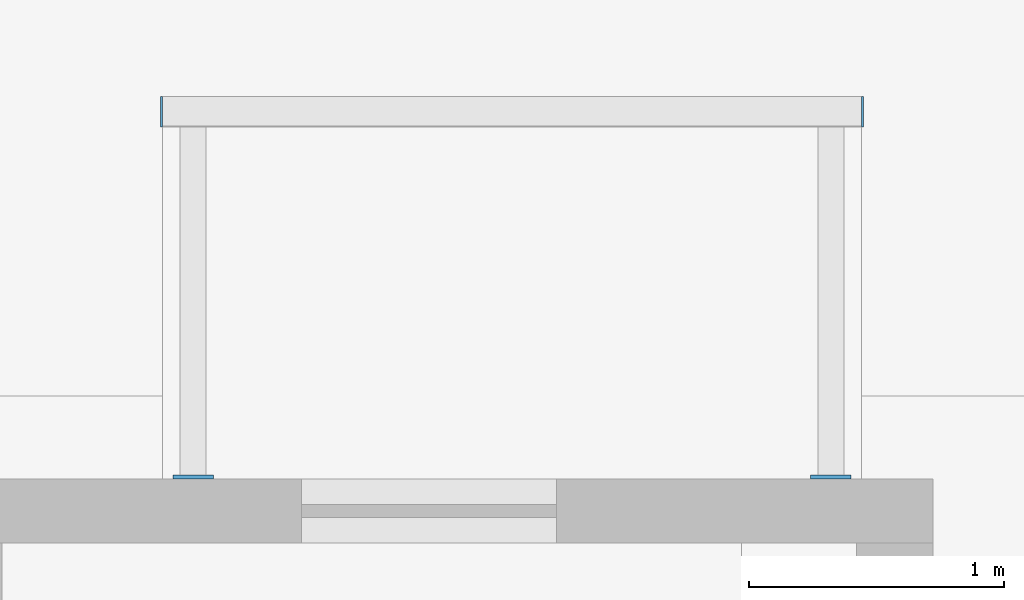
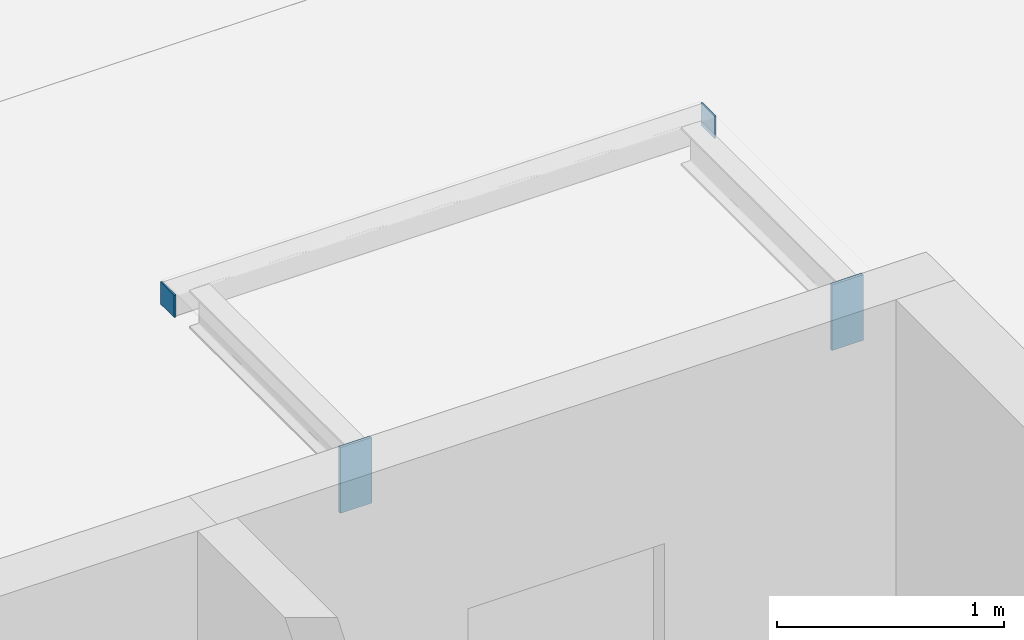
# One storey, part 85 of 112: 4 discrete accessories.
"""IFC4 building model written with IfcOpenShell, lengths in metres."""

from ifc_helpers import new_model, si_unit, direction, frame, origin, origin_2d, place, context, subcontext, project, spatial, rectangle, extrude, material, layer, layer_set, type_object, element, save


model = new_model("IFC4")

# Units and contexts
model_context = context("Model", 3, precision=1e-05, world=origin(), true_north=direction((0.0, 1.0)))
body_context = subcontext(model_context, "Body", "Model", "MODEL_VIEW")
ifc_project = project(units=[si_unit("LENGTHUNIT", "METRE"), si_unit("AREAUNIT", "SQUARE_METRE"), si_unit("VOLUMEUNIT", "CUBIC_METRE"), si_unit("PLANEANGLEUNIT", "RADIAN"), si_unit("MASSUNIT", "GRAM", prefix="KILO")], contexts=[model_context])

# Site, building, storey
site_placement = place(None, origin())
site = spatial("IfcSite", under=ifc_project, at=site_placement, CompositionType="ELEMENT")
building_placement = place(site_placement, origin())
building = spatial("IfcBuilding", under=site, at=building_placement, Name="Ridgestep Commons", CompositionType="ELEMENT")
storey_placement = place(building_placement, origin())
storey = spatial("IfcBuildingStorey", under=building, at=storey_placement, Name="L00", CompositionType="ELEMENT", Elevation=0.0)

# Discrete accessories
ifc_material_1 = material(Name="Weathering steel S355J2W", Category="steel")
ifc_layer_1 = layer(ifc_material_1, 0.014892578125)
ifc_layer_set_1 = layer_set([ifc_layer_1], Name="Tray bracket plate 15")
discrete_accessory_type_1 = type_object("IfcDiscreteAccessoryType", Name="Tray bracket plate 15", PredefinedType="BRACKET", material=ifc_layer_set_1)
for number, where, z_axis, x_axis, name in (
    (1, (110.050048828125, 77.257568359375, 2.63671875), (0.0, 0.0, 1.0), (1.0, 0.0, 0.0), "Tray bracket B6T1-01.1"),
    (2, (112.550048828125, 77.257568359375, 2.63671875), (0.0, 0.0, 1.0), (1.0, 0.0, 0.0), "Tray bracket B6T1-01.2"),
):
    element("IfcDiscreteAccessory", number, at=place(storey_placement, frame(where, z_axis=z_axis, x_axis=x_axis)), inside=storey, type_object=discrete_accessory_type_1, Name=name, PredefinedType="BRACKET", context=body_context, shape_type="SweptSolid", body=[
        extrude(rectangle(XDim=0.159912109375, YDim=0.014892578125, at=origin_2d()), origin(), (0.0, 0.0, 1.0), 0.353271484375),
    ])
ifc_material_2 = material(Name="Weathering steel S355J2W", Category="steel")
ifc_layer_2 = layer(ifc_material_2, 0.008056640625)
ifc_layer_set_2 = layer_set([ifc_layer_2], Name="Tray edge member end plate 120 x 120 x 8")
discrete_accessory_type_2 = type_object("IfcDiscreteAccessoryType", Name="Tray edge member end plate 120 x 120 x 8", PredefinedType="BRACKET", material=ifc_layer_set_2)
for number, where, z_axis, x_axis, name in (
    (3, (109.926025390625, 78.68994140625, 2.869873046875), (0.0, 0.0, 1.0), (1.0, 0.0, 0.0), "Tray edge member end plate B6T1-01 west"),
    (4, (112.674072265625, 78.68994140625, 2.869873046875), (0.0, 0.0, 1.0), (1.0, 0.0, 0.0), "Tray edge member end plate B6T1-01 east"),
):
    element("IfcDiscreteAccessory", number, at=place(storey_placement, frame(where, z_axis=z_axis, x_axis=x_axis)), inside=storey, type_object=discrete_accessory_type_2, Name=name, PredefinedType="BRACKET", context=body_context, shape_type="SweptSolid", body=[
        extrude(rectangle(XDim=0.008056640625, YDim=0.1201171875, at=origin_2d()), origin(), (0.0, 0.0, 1.0), 0.1201171875),
    ])

save(model, "model.ifc")
